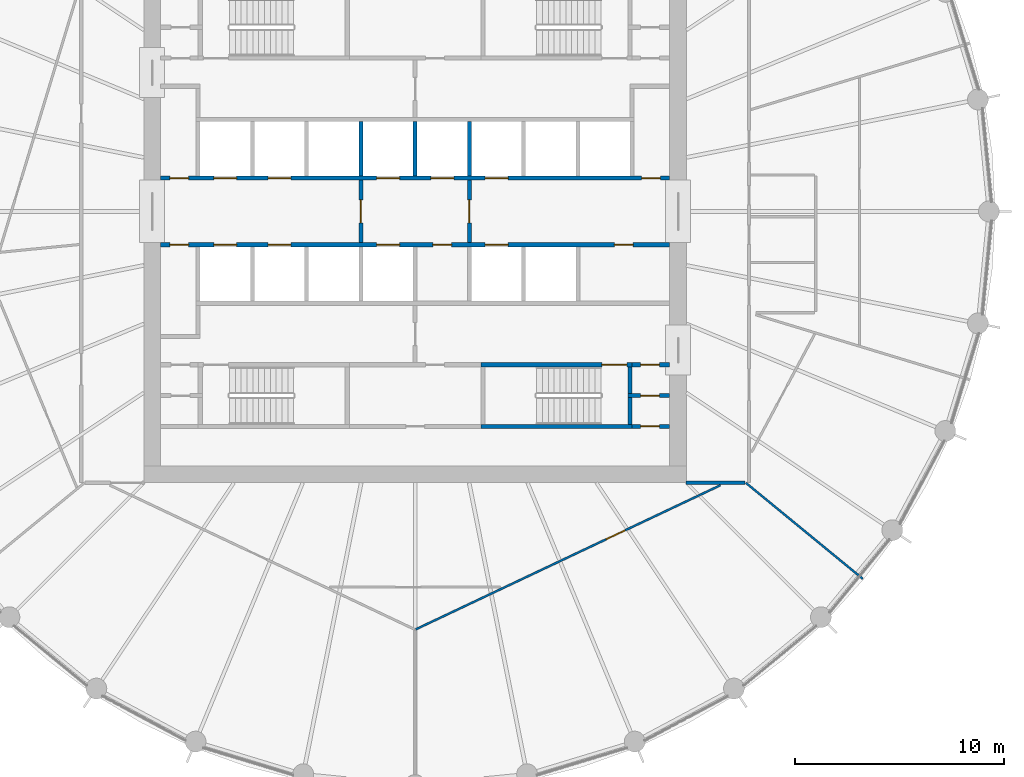
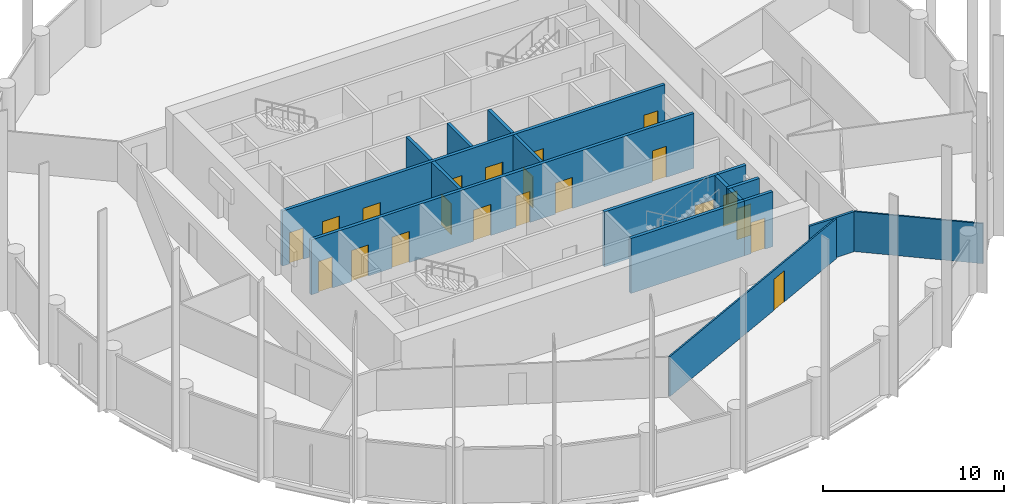
# One storey, part 5 of 8: 21 doors, 17 walls, 21 openings.
"""IFC4 building model written with IfcOpenShell, lengths in metres."""

from ifc_helpers import new_model, si_unit, direction, frame, frame_2d, origin, place, context, subcontext, project, spatial, polyline, rectangle, outline, extrude, material, layer, layer_set, type_object, element, fill, save


model = new_model("IFC4")

# Units and contexts
model_context = context("Model", 3, precision=1e-05, world=origin(), true_north=direction((0.0, 1.0)))
body_context = subcontext(model_context, "Body", "Model", "MODEL_VIEW")
ifc_project = project(units=[si_unit("LENGTHUNIT", "METRE"), si_unit("AREAUNIT", "SQUARE_METRE"), si_unit("VOLUMEUNIT", "CUBIC_METRE"), si_unit("PLANEANGLEUNIT", "RADIAN"), si_unit("MASSUNIT", "GRAM", prefix="KILO")], contexts=[model_context])

# Site, building, storey
site_placement = place(None, origin())
site = spatial("IfcSite", under=ifc_project, at=site_placement, CompositionType="ELEMENT")
building_placement = place(site_placement, origin())
building = spatial("IfcBuilding", under=site, at=building_placement, Name="Corvane Civic Tower", CompositionType="ELEMENT")
storey_placement = place(building_placement, frame((0.0, 0.0, 249.5)))
storey = spatial("IfcBuildingStorey", under=building, at=storey_placement, Name="L59", CompositionType="ELEMENT", Elevation=249.5)

# Wall, opening, door
ifc_material_1 = material(Name="Concrete C30/37", Category="concrete")
ifc_layer_1 = layer(ifc_material_1, 0.199951171875)
ifc_layer_set_1 = layer_set([ifc_layer_1], Name="Concrete C30/37")
wall_type_1 = type_object("IfcWallType", Name="CR-WALL-200", PredefinedType="PARTITIONING", material=ifc_layer_set_1)
wall_1_placement = place(storey_placement, frame((10.39990234375, -10.300048828125, 0.0), z_axis=(0.0, 0.0, 1.0), x_axis=(1.0, 0.0, 0.0)))
wall_1 = element("IfcWall", 1, at=wall_1_placement, inside=storey, type_object=wall_type_1, Name="L59 partition wall", PredefinedType="PARTITIONING", context=body_context, shape_type="SweptSolid", body=[
    extrude(rectangle(XDim=1.800048828125, YDim=0.199951171875, at=frame_2d((0.89990234375, 0.0))), origin(), (0.0, 0.0, 1.0), 3.699951171875),
])
opening_1_placement = place(wall_1_placement, frame((0.39990234375, 0.0, 0.0)))
opening_1 = element("IfcOpeningElement", 2, at=opening_1_placement, cuts=wall_1, Name="Opening L59.C19", PredefinedType="OPENING", context=body_context, shape_type="SweptSolid", body=[
    extrude(rectangle(XDim=0.89990234375, YDim=2.10009765625, at=frame_2d((0.449951171875, 1.050048828125))), frame((0.0, 0.10986328125, 0.0), z_axis=(0.0, -1.0, 0.0), x_axis=(1.0, 0.0, 0.0)), (0.0, 0.0, 1.0), 0.219970703125),
])
ifc_material_2 = material(Name="Steel fire door leaf", Category="steel")
door_type_1 = type_object("IfcDoorType", Name="CR-DOOR-900", OperationType="SINGLE_SWING_LEFT", PredefinedType="DOOR", material=ifc_material_2)
door_1_placement = place(opening_1_placement, origin())
door_1 = element("IfcDoor", 3, at=door_1_placement, inside=storey, type_object=door_type_1, Name="L59 door", OperationType="SINGLE_SWING_LEFT", OverallHeight=2.10009765625, OverallWidth=0.89990234375, PredefinedType="DOOR", context=body_context, shape_type="SweptSolid", body=[
    extrude(rectangle(XDim=0.89990234375, YDim=2.10009765625, at=frame_2d((0.449951171875, 1.050048828125))), frame((0.0, 0.02490234375, 0.0), z_axis=(0.0, -1.0, 0.0), x_axis=(1.0, 0.0, 0.0)), (0.0, 0.0, 1.0), 0.050048828125),
])
fill(opening_1, door_1)

wall_2_placement = place(storey_placement, frame((10.199951171875, -8.824951171875, 0.0), z_axis=(0.0, 0.0, 1.0), x_axis=(1.0, 0.0, 0.0)))
wall_2 = element("IfcWall", 4, at=wall_2_placement, inside=storey, type_object=wall_type_1, Name="L59 partition wall", PredefinedType="PARTITIONING", context=body_context, shape_type="SweptSolid", body=[
    extrude(rectangle(XDim=2.0, YDim=0.199951171875, at=frame_2d((1.0, 0.0))), origin(), (0.0, 0.0, 1.0), 3.699951171875),
])
opening_2_placement = place(wall_2_placement, frame((0.60009765625, 0.0, 0.0)))
opening_2 = element("IfcOpeningElement", 5, at=opening_2_placement, cuts=wall_2, Name="Opening L59.C18", PredefinedType="OPENING", context=body_context, shape_type="SweptSolid", body=[
    extrude(rectangle(XDim=0.89990234375, YDim=2.10009765625, at=frame_2d((0.449951171875, 1.050048828125))), frame((0.0, 0.10986328125, 0.0), z_axis=(0.0, -1.0, 0.0), x_axis=(1.0, 0.0, 0.0)), (0.0, 0.0, 1.0), 0.219970703125),
])
door_2_placement = place(opening_2_placement, origin())
door_2 = element("IfcDoor", 6, at=door_2_placement, inside=storey, type_object=door_type_1, Name="L59 door", OperationType="SINGLE_SWING_LEFT", OverallHeight=2.10009765625, OverallWidth=0.89990234375, PredefinedType="DOOR", context=body_context, shape_type="SweptSolid", body=[
    extrude(rectangle(XDim=0.89990234375, YDim=2.10009765625, at=frame_2d((0.449951171875, 1.050048828125))), frame((0.0, 0.02490234375, 0.0), z_axis=(0.0, -1.0, 0.0), x_axis=(1.0, 0.0, 0.0)), (0.0, 0.0, 1.0), 0.050048828125),
])
fill(opening_2, door_2)

wall_3_placement = place(storey_placement, frame((10.39990234375, -7.35009765625, 0.0), z_axis=(0.0, 0.0, 1.0), x_axis=(1.0, 0.0, 0.0)))
wall_3 = element("IfcWall", 7, at=wall_3_placement, inside=storey, type_object=wall_type_1, Name="L59 core partition wall", PredefinedType="PARTITIONING", context=body_context, shape_type="SweptSolid", body=[
    extrude(rectangle(XDim=1.800048828125, YDim=0.199951171875, at=frame_2d((0.89990234375, 0.0))), origin(), (0.0, 0.0, 1.0), 3.699951171875),
])
opening_3_placement = place(wall_3_placement, frame((0.39990234375, 0.0, 0.0)))
opening_3 = element("IfcOpeningElement", 8, at=opening_3_placement, cuts=wall_3, Name="Opening L59.C17", PredefinedType="OPENING", context=body_context, shape_type="SweptSolid", body=[
    extrude(rectangle(XDim=0.89990234375, YDim=2.10009765625, at=frame_2d((0.449951171875, 1.050048828125))), frame((0.0, 0.10986328125, 0.0), z_axis=(0.0, -1.0, 0.0), x_axis=(1.0, 0.0, 0.0)), (0.0, 0.0, 1.0), 0.219970703125),
])
door_3_placement = place(opening_3_placement, origin())
door_3 = element("IfcDoor", 9, at=door_3_placement, inside=storey, type_object=door_type_1, Name="L59 door", OperationType="SINGLE_SWING_LEFT", OverallHeight=2.10009765625, OverallWidth=0.89990234375, PredefinedType="DOOR", context=body_context, shape_type="SweptSolid", body=[
    extrude(rectangle(XDim=0.89990234375, YDim=2.10009765625, at=frame_2d((0.449951171875, 1.050048828125))), frame((0.0, 0.02490234375, 0.0), z_axis=(0.0, -1.0, 0.0), x_axis=(1.0, 0.0, 0.0)), (0.0, 0.0, 1.0), 0.050048828125),
])
fill(opening_3, door_3)

# Wall, openings, doors
wall_4_placement = place(storey_placement, frame((-12.199951171875, -1.60009765625, 0.0), z_axis=(0.0, 0.0, 1.0), x_axis=(1.0, 0.0, 0.0)))
wall_4 = element("IfcWall", 10, at=wall_4_placement, inside=storey, type_object=wall_type_1, Name="L59 lift shaft wall", PredefinedType="PARTITIONING", context=body_context, shape_type="SweptSolid", body=[
    extrude(rectangle(XDim=24.39990234375, YDim=0.199951171875, at=frame_2d((12.199951171875, 0.0))), origin(), (0.0, 0.0, 1.0), 3.699951171875),
])
opening_4_placement = place(wall_4_placement, frame((2.550048828125, 0.0, 0.0)))
opening_4 = element("IfcOpeningElement", 11, at=opening_4_placement, cuts=wall_4, Name="Opening LD", PredefinedType="OPENING", context=body_context, shape_type="SweptSolid", body=[
    extrude(rectangle(XDim=1.10009765625, YDim=2.10009765625, at=frame_2d((0.550048828125, 1.050048828125))), frame((0.0, 0.10986328125, 0.0), z_axis=(0.0, -1.0, 0.0), x_axis=(1.0, 0.0, 0.0)), (0.0, 0.0, 1.0), 0.219970703125),
])
opening_5_placement = place(wall_4_placement, frame((5.14990234375, 0.0, 0.0)))
opening_5 = element("IfcOpeningElement", 12, at=opening_5_placement, cuts=wall_4, Name="Opening LD", PredefinedType="OPENING", context=body_context, shape_type="SweptSolid", body=[
    extrude(rectangle(XDim=1.10009765625, YDim=2.10009765625, at=frame_2d((0.550048828125, 1.050048828125))), frame((0.0, 0.10986328125, 0.0), z_axis=(0.0, -1.0, 0.0), x_axis=(1.0, 0.0, 0.0)), (0.0, 0.0, 1.0), 0.219970703125),
])
opening_6_placement = place(wall_4_placement, frame((10.35009765625, 0.0, 0.0)))
opening_6 = element("IfcOpeningElement", 13, at=opening_6_placement, cuts=wall_4, Name="Opening LD", PredefinedType="OPENING", context=body_context, shape_type="SweptSolid", body=[
    extrude(rectangle(XDim=1.10009765625, YDim=2.10009765625, at=frame_2d((0.550048828125, 1.050048828125))), frame((0.0, 0.10986328125, 0.0), z_axis=(0.0, -1.0, 0.0), x_axis=(1.0, 0.0, 0.0)), (0.0, 0.0, 1.0), 0.219970703125),
])
opening_7_placement = place(wall_4_placement, frame((13.050048828125, 0.0, 0.0)))
opening_7 = element("IfcOpeningElement", 14, at=opening_7_placement, cuts=wall_4, Name="Opening L59.C03", PredefinedType="OPENING", context=body_context, shape_type="SweptSolid", body=[
    extrude(rectangle(XDim=0.89990234375, YDim=2.10009765625, at=frame_2d((0.449951171875, 1.050048828125))), frame((0.0, 0.10986328125, 0.0), z_axis=(0.0, -1.0, 0.0), x_axis=(1.0, 0.0, 0.0)), (0.0, 0.0, 1.0), 0.219970703125),
])
opening_8_placement = place(wall_4_placement, frame((15.550048828125, 0.0, 0.0)))
opening_8 = element("IfcOpeningElement", 15, at=opening_8_placement, cuts=wall_4, Name="Opening LD", PredefinedType="OPENING", context=body_context, shape_type="SweptSolid", body=[
    extrude(rectangle(XDim=1.10009765625, YDim=2.10009765625, at=frame_2d((0.550048828125, 1.050048828125))), frame((0.0, 0.10986328125, 0.0), z_axis=(0.0, -1.0, 0.0), x_axis=(1.0, 0.0, 0.0)), (0.0, 0.0, 1.0), 0.219970703125),
])
opening_9_placement = place(wall_4_placement, frame((0.449951171875, 0.0, 0.0)))
opening_9 = element("IfcOpeningElement", 16, at=opening_9_placement, cuts=wall_4, Name="Opening L59.C04", PredefinedType="OPENING", context=body_context, shape_type="SweptSolid", body=[
    extrude(rectangle(XDim=0.89990234375, YDim=2.10009765625, at=frame_2d((0.449951171875, 1.050048828125))), frame((0.0, 0.10986328125, 0.0), z_axis=(0.0, -1.0, 0.0), x_axis=(1.0, 0.0, 0.0)), (0.0, 0.0, 1.0), 0.219970703125),
])
opening_10_placement = place(wall_4_placement, frame((21.75, 0.0, 0.0)))
opening_10 = element("IfcOpeningElement", 17, at=opening_10_placement, cuts=wall_4, Name="Opening L59.C05", PredefinedType="OPENING", context=body_context, shape_type="SweptSolid", body=[
    extrude(rectangle(XDim=0.89990234375, YDim=2.10009765625, at=frame_2d((0.449951171875, 1.050048828125))), frame((0.0, 0.10986328125, 0.0), z_axis=(0.0, -1.0, 0.0), x_axis=(1.0, 0.0, 0.0)), (0.0, 0.0, 1.0), 0.219970703125),
])
door_4_placement = place(opening_7_placement, origin())
door_4 = element("IfcDoor", 18, at=door_4_placement, inside=storey, type_object=door_type_1, Name="L59 door", OperationType="SINGLE_SWING_LEFT", OverallHeight=2.10009765625, OverallWidth=0.89990234375, PredefinedType="DOOR", context=body_context, shape_type="SweptSolid", body=[
    extrude(rectangle(XDim=0.89990234375, YDim=2.10009765625, at=frame_2d((0.449951171875, 1.050048828125))), frame((0.0, 0.02490234375, 0.0), z_axis=(0.0, -1.0, 0.0), x_axis=(1.0, 0.0, 0.0)), (0.0, 0.0, 1.0), 0.050048828125),
])
fill(opening_7, door_4)
door_5_placement = place(opening_9_placement, origin())
door_5 = element("IfcDoor", 19, at=door_5_placement, inside=storey, type_object=door_type_1, Name="L59 door", OperationType="SINGLE_SWING_LEFT", OverallHeight=2.10009765625, OverallWidth=0.89990234375, PredefinedType="DOOR", context=body_context, shape_type="SweptSolid", body=[
    extrude(rectangle(XDim=0.89990234375, YDim=2.10009765625, at=frame_2d((0.449951171875, 1.050048828125))), frame((0.0, 0.02490234375, 0.0), z_axis=(0.0, -1.0, 0.0), x_axis=(1.0, 0.0, 0.0)), (0.0, 0.0, 1.0), 0.050048828125),
])
fill(opening_9, door_5)
door_6_placement = place(opening_10_placement, origin())
door_6 = element("IfcDoor", 20, at=door_6_placement, inside=storey, type_object=door_type_1, Name="L59 door", OperationType="SINGLE_SWING_LEFT", OverallHeight=2.10009765625, OverallWidth=0.89990234375, PredefinedType="DOOR", context=body_context, shape_type="SweptSolid", body=[
    extrude(rectangle(XDim=0.89990234375, YDim=2.10009765625, at=frame_2d((0.449951171875, 1.050048828125))), frame((0.0, 0.02490234375, 0.0), z_axis=(0.0, -1.0, 0.0), x_axis=(1.0, 0.0, 0.0)), (0.0, 0.0, 1.0), 0.050048828125),
])
fill(opening_10, door_6)
ifc_material_3 = material(Name="Stainless steel 316 door leaves", Category="steel")
door_type_2 = type_object("IfcDoorType", Name="LD", OperationType="DOUBLE_DOOR_SLIDING", PredefinedType="DOOR", material=ifc_material_3)
door_7_placement = place(opening_4_placement, origin())
door_7 = element("IfcDoor", 21, at=door_7_placement, inside=storey, type_object=door_type_2, Name="L59 landing door", OperationType="DOUBLE_DOOR_SLIDING", OverallHeight=2.10009765625, OverallWidth=1.10009765625, PredefinedType="DOOR", context=body_context, shape_type="SweptSolid", body=[
    extrude(rectangle(XDim=1.10009765625, YDim=2.10009765625, at=frame_2d((0.550048828125, 1.050048828125))), frame((0.0, 0.02490234375, 0.0), z_axis=(0.0, -1.0, 0.0), x_axis=(1.0, 0.0, 0.0)), (0.0, 0.0, 1.0), 0.050048828125),
])
fill(opening_4, door_7)
door_8_placement = place(opening_5_placement, origin())
door_8 = element("IfcDoor", 22, at=door_8_placement, inside=storey, type_object=door_type_2, Name="L59 landing door", OperationType="DOUBLE_DOOR_SLIDING", OverallHeight=2.10009765625, OverallWidth=1.10009765625, PredefinedType="DOOR", context=body_context, shape_type="SweptSolid", body=[
    extrude(rectangle(XDim=1.10009765625, YDim=2.10009765625, at=frame_2d((0.550048828125, 1.050048828125))), frame((0.0, 0.02490234375, 0.0), z_axis=(0.0, -1.0, 0.0), x_axis=(1.0, 0.0, 0.0)), (0.0, 0.0, 1.0), 0.050048828125),
])
fill(opening_5, door_8)
door_9_placement = place(opening_6_placement, origin())
door_9 = element("IfcDoor", 23, at=door_9_placement, inside=storey, type_object=door_type_2, Name="L59 landing door", OperationType="DOUBLE_DOOR_SLIDING", OverallHeight=2.10009765625, OverallWidth=1.10009765625, PredefinedType="DOOR", context=body_context, shape_type="SweptSolid", body=[
    extrude(rectangle(XDim=1.10009765625, YDim=2.10009765625, at=frame_2d((0.550048828125, 1.050048828125))), frame((0.0, 0.02490234375, 0.0), z_axis=(0.0, -1.0, 0.0), x_axis=(1.0, 0.0, 0.0)), (0.0, 0.0, 1.0), 0.050048828125),
])
fill(opening_6, door_9)
door_10_placement = place(opening_8_placement, origin())
door_10 = element("IfcDoor", 24, at=door_10_placement, inside=storey, type_object=door_type_2, Name="L59 landing door", OperationType="DOUBLE_DOOR_SLIDING", OverallHeight=2.10009765625, OverallWidth=1.10009765625, PredefinedType="DOOR", context=body_context, shape_type="SweptSolid", body=[
    extrude(rectangle(XDim=1.10009765625, YDim=2.10009765625, at=frame_2d((0.550048828125, 1.050048828125))), frame((0.0, 0.02490234375, 0.0), z_axis=(0.0, -1.0, 0.0), x_axis=(1.0, 0.0, 0.0)), (0.0, 0.0, 1.0), 0.050048828125),
])
fill(opening_8, door_10)

wall_5_placement = place(storey_placement, frame((-12.199951171875, 1.60009765625, 0.0), z_axis=(0.0, 0.0, 1.0), x_axis=(1.0, 0.0, 0.0)))
wall_5 = element("IfcWall", 25, at=wall_5_placement, inside=storey, type_object=wall_type_1, Name="L59 lift shaft wall", PredefinedType="PARTITIONING", context=body_context, shape_type="SweptSolid", body=[
    extrude(rectangle(XDim=24.39990234375, YDim=0.199951171875, at=frame_2d((12.199951171875, 0.0))), origin(), (0.0, 0.0, 1.0), 3.699951171875),
])
opening_11_placement = place(wall_5_placement, frame((2.550048828125, 0.0, 0.0)))
opening_11 = element("IfcOpeningElement", 26, at=opening_11_placement, cuts=wall_5, Name="Opening LD", PredefinedType="OPENING", context=body_context, shape_type="SweptSolid", body=[
    extrude(rectangle(XDim=1.10009765625, YDim=2.10009765625, at=frame_2d((0.550048828125, 1.050048828125))), frame((0.0, 0.10986328125, 0.0), z_axis=(0.0, -1.0, 0.0), x_axis=(1.0, 0.0, 0.0)), (0.0, 0.0, 1.0), 0.219970703125),
])
opening_12_placement = place(wall_5_placement, frame((5.14990234375, 0.0, 0.0)))
opening_12 = element("IfcOpeningElement", 27, at=opening_12_placement, cuts=wall_5, Name="Opening LD", PredefinedType="OPENING", context=body_context, shape_type="SweptSolid", body=[
    extrude(rectangle(XDim=1.10009765625, YDim=2.10009765625, at=frame_2d((0.550048828125, 1.050048828125))), frame((0.0, 0.10986328125, 0.0), z_axis=(0.0, -1.0, 0.0), x_axis=(1.0, 0.0, 0.0)), (0.0, 0.0, 1.0), 0.219970703125),
])
opening_13_placement = place(wall_5_placement, frame((10.35009765625, 0.0, 0.0)))
opening_13 = element("IfcOpeningElement", 28, at=opening_13_placement, cuts=wall_5, Name="Opening LD", PredefinedType="OPENING", context=body_context, shape_type="SweptSolid", body=[
    extrude(rectangle(XDim=1.10009765625, YDim=2.10009765625, at=frame_2d((0.550048828125, 1.050048828125))), frame((0.0, 0.10986328125, 0.0), z_axis=(0.0, -1.0, 0.0), x_axis=(1.0, 0.0, 0.0)), (0.0, 0.0, 1.0), 0.219970703125),
])
opening_14_placement = place(wall_5_placement, frame((12.949951171875, 0.0, 0.0)))
opening_14 = element("IfcOpeningElement", 29, at=opening_14_placement, cuts=wall_5, Name="Opening LD", PredefinedType="OPENING", context=body_context, shape_type="SweptSolid", body=[
    extrude(rectangle(XDim=1.10009765625, YDim=2.10009765625, at=frame_2d((0.550048828125, 1.050048828125))), frame((0.0, 0.10986328125, 0.0), z_axis=(0.0, -1.0, 0.0), x_axis=(1.0, 0.0, 0.0)), (0.0, 0.0, 1.0), 0.219970703125),
])
opening_15_placement = place(wall_5_placement, frame((15.550048828125, 0.0, 0.0)))
opening_15 = element("IfcOpeningElement", 30, at=opening_15_placement, cuts=wall_5, Name="Opening LD", PredefinedType="OPENING", context=body_context, shape_type="SweptSolid", body=[
    extrude(rectangle(XDim=1.10009765625, YDim=2.10009765625, at=frame_2d((0.550048828125, 1.050048828125))), frame((0.0, 0.10986328125, 0.0), z_axis=(0.0, -1.0, 0.0), x_axis=(1.0, 0.0, 0.0)), (0.0, 0.0, 1.0), 0.219970703125),
])
opening_16_placement = place(wall_5_placement, frame((0.449951171875, 0.0, 0.0)))
opening_16 = element("IfcOpeningElement", 31, at=opening_16_placement, cuts=wall_5, Name="Opening L59.C01", PredefinedType="OPENING", context=body_context, shape_type="SweptSolid", body=[
    extrude(rectangle(XDim=0.89990234375, YDim=2.10009765625, at=frame_2d((0.449951171875, 1.050048828125))), frame((0.0, 0.10986328125, 0.0), z_axis=(0.0, -1.0, 0.0), x_axis=(1.0, 0.0, 0.0)), (0.0, 0.0, 1.0), 0.219970703125),
])
opening_17_placement = place(wall_5_placement, frame((23.050048828125, 0.0, 0.0)))
opening_17 = element("IfcOpeningElement", 32, at=opening_17_placement, cuts=wall_5, Name="Opening L59.C02", PredefinedType="OPENING", context=body_context, shape_type="SweptSolid", body=[
    extrude(rectangle(XDim=0.89990234375, YDim=2.10009765625, at=frame_2d((0.449951171875, 1.050048828125))), frame((0.0, 0.10986328125, 0.0), z_axis=(0.0, -1.0, 0.0), x_axis=(1.0, 0.0, 0.0)), (0.0, 0.0, 1.0), 0.219970703125),
])
door_11_placement = place(opening_16_placement, origin())
door_11 = element("IfcDoor", 33, at=door_11_placement, inside=storey, type_object=door_type_1, Name="L59 door", OperationType="SINGLE_SWING_LEFT", OverallHeight=2.10009765625, OverallWidth=0.89990234375, PredefinedType="DOOR", context=body_context, shape_type="SweptSolid", body=[
    extrude(rectangle(XDim=0.89990234375, YDim=2.10009765625, at=frame_2d((0.449951171875, 1.050048828125))), frame((0.0, 0.02490234375, 0.0), z_axis=(0.0, -1.0, 0.0), x_axis=(1.0, 0.0, 0.0)), (0.0, 0.0, 1.0), 0.050048828125),
])
fill(opening_16, door_11)
door_12_placement = place(opening_17_placement, origin())
door_12 = element("IfcDoor", 34, at=door_12_placement, inside=storey, type_object=door_type_1, Name="L59 door", OperationType="SINGLE_SWING_LEFT", OverallHeight=2.10009765625, OverallWidth=0.89990234375, PredefinedType="DOOR", context=body_context, shape_type="SweptSolid", body=[
    extrude(rectangle(XDim=0.89990234375, YDim=2.10009765625, at=frame_2d((0.449951171875, 1.050048828125))), frame((0.0, 0.02490234375, 0.0), z_axis=(0.0, -1.0, 0.0), x_axis=(1.0, 0.0, 0.0)), (0.0, 0.0, 1.0), 0.050048828125),
])
fill(opening_17, door_12)
door_13_placement = place(opening_11_placement, origin())
door_13 = element("IfcDoor", 35, at=door_13_placement, inside=storey, type_object=door_type_2, Name="L59 landing door", OperationType="DOUBLE_DOOR_SLIDING", OverallHeight=2.10009765625, OverallWidth=1.10009765625, PredefinedType="DOOR", context=body_context, shape_type="SweptSolid", body=[
    extrude(rectangle(XDim=1.10009765625, YDim=2.10009765625, at=frame_2d((0.550048828125, 1.050048828125))), frame((0.0, 0.02490234375, 0.0), z_axis=(0.0, -1.0, 0.0), x_axis=(1.0, 0.0, 0.0)), (0.0, 0.0, 1.0), 0.050048828125),
])
fill(opening_11, door_13)
door_14_placement = place(opening_12_placement, origin())
door_14 = element("IfcDoor", 36, at=door_14_placement, inside=storey, type_object=door_type_2, Name="L59 landing door", OperationType="DOUBLE_DOOR_SLIDING", OverallHeight=2.10009765625, OverallWidth=1.10009765625, PredefinedType="DOOR", context=body_context, shape_type="SweptSolid", body=[
    extrude(rectangle(XDim=1.10009765625, YDim=2.10009765625, at=frame_2d((0.550048828125, 1.050048828125))), frame((0.0, 0.02490234375, 0.0), z_axis=(0.0, -1.0, 0.0), x_axis=(1.0, 0.0, 0.0)), (0.0, 0.0, 1.0), 0.050048828125),
])
fill(opening_12, door_14)
door_15_placement = place(opening_13_placement, origin())
door_15 = element("IfcDoor", 37, at=door_15_placement, inside=storey, type_object=door_type_2, Name="L59 landing door", OperationType="DOUBLE_DOOR_SLIDING", OverallHeight=2.10009765625, OverallWidth=1.10009765625, PredefinedType="DOOR", context=body_context, shape_type="SweptSolid", body=[
    extrude(rectangle(XDim=1.10009765625, YDim=2.10009765625, at=frame_2d((0.550048828125, 1.050048828125))), frame((0.0, 0.02490234375, 0.0), z_axis=(0.0, -1.0, 0.0), x_axis=(1.0, 0.0, 0.0)), (0.0, 0.0, 1.0), 0.050048828125),
])
fill(opening_13, door_15)
door_16_placement = place(opening_14_placement, origin())
door_16 = element("IfcDoor", 38, at=door_16_placement, inside=storey, type_object=door_type_2, Name="L59 landing door", OperationType="DOUBLE_DOOR_SLIDING", OverallHeight=2.10009765625, OverallWidth=1.10009765625, PredefinedType="DOOR", context=body_context, shape_type="SweptSolid", body=[
    extrude(rectangle(XDim=1.10009765625, YDim=2.10009765625, at=frame_2d((0.550048828125, 1.050048828125))), frame((0.0, 0.02490234375, 0.0), z_axis=(0.0, -1.0, 0.0), x_axis=(1.0, 0.0, 0.0)), (0.0, 0.0, 1.0), 0.050048828125),
])
fill(opening_14, door_16)
door_17_placement = place(opening_15_placement, origin())
door_17 = element("IfcDoor", 39, at=door_17_placement, inside=storey, type_object=door_type_2, Name="L59 landing door", OperationType="DOUBLE_DOOR_SLIDING", OverallHeight=2.10009765625, OverallWidth=1.10009765625, PredefinedType="DOOR", context=body_context, shape_type="SweptSolid", body=[
    extrude(rectangle(XDim=1.10009765625, YDim=2.10009765625, at=frame_2d((0.550048828125, 1.050048828125))), frame((0.0, 0.02490234375, 0.0), z_axis=(0.0, -1.0, 0.0), x_axis=(1.0, 0.0, 0.0)), (0.0, 0.0, 1.0), 0.050048828125),
])
fill(opening_15, door_17)

# Wall, opening, door
wall_6_placement = place(storey_placement, frame((-2.60009765625, -1.5, 0.0), z_axis=(0.0, 0.0, 1.0), x_axis=(0.0, 1.0, 0.0)))
wall_6 = element("IfcWall", 40, at=wall_6_placement, inside=storey, type_object=wall_type_1, Name="L59 firefighting lobby wall", PredefinedType="PARTITIONING", context=body_context, shape_type="SweptSolid", body=[
    extrude(rectangle(XDim=3.0, YDim=0.199951171875, at=frame_2d((1.5, 0.0))), origin(), (0.0, 0.0, 1.0), 3.699951171875),
])
opening_18_placement = place(wall_6_placement, frame((0.949951171875, 0.0, 0.0)))
opening_18 = element("IfcOpeningElement", 41, at=opening_18_placement, cuts=wall_6, Name="Opening L59.C24", PredefinedType="OPENING", context=body_context, shape_type="SweptSolid", body=[
    extrude(rectangle(XDim=1.10009765625, YDim=2.10009765625, at=frame_2d((0.550048828125, 1.050048828125))), frame((0.0, 0.10986328125, 0.0), z_axis=(0.0, -1.0, 0.0), x_axis=(1.0, 0.0, 0.0)), (0.0, 0.0, 1.0), 0.219970703125),
])
ifc_material_4 = material(Name="Steel fire door leaf", Category="steel")
door_type_3 = type_object("IfcDoorType", Name="CR-DOOR-FFL-1100", OperationType="SINGLE_SWING_LEFT", PredefinedType="DOOR", material=ifc_material_4)
door_18_placement = place(opening_18_placement, origin())
door_18 = element("IfcDoor", 42, at=door_18_placement, inside=storey, type_object=door_type_3, Name="L59 lobby door", OperationType="SINGLE_SWING_LEFT", OverallHeight=2.10009765625, OverallWidth=1.10009765625, PredefinedType="DOOR", context=body_context, shape_type="SweptSolid", body=[
    extrude(rectangle(XDim=1.10009765625, YDim=2.10009765625, at=frame_2d((0.550048828125, 1.050048828125))), frame((0.0, 0.02490234375, 0.0), z_axis=(0.0, -1.0, 0.0), x_axis=(1.0, 0.0, 0.0)), (0.0, 0.0, 1.0), 0.050048828125),
])
fill(opening_18, door_18)

wall_7_placement = place(storey_placement, frame((2.60009765625, -1.5, 0.0), z_axis=(0.0, 0.0, 1.0), x_axis=(0.0, 1.0, 0.0)))
wall_7 = element("IfcWall", 43, at=wall_7_placement, inside=storey, type_object=wall_type_1, Name="L59 firefighting lobby wall", PredefinedType="PARTITIONING", context=body_context, shape_type="SweptSolid", body=[
    extrude(rectangle(XDim=3.0, YDim=0.199951171875, at=frame_2d((1.5, 0.0))), origin(), (0.0, 0.0, 1.0), 3.699951171875),
])
opening_19_placement = place(wall_7_placement, frame((0.949951171875, 0.0, 0.0)))
opening_19 = element("IfcOpeningElement", 44, at=opening_19_placement, cuts=wall_7, Name="Opening L59.C25", PredefinedType="OPENING", context=body_context, shape_type="SweptSolid", body=[
    extrude(rectangle(XDim=1.10009765625, YDim=2.10009765625, at=frame_2d((0.550048828125, 1.050048828125))), frame((0.0, 0.10986328125, 0.0), z_axis=(0.0, -1.0, 0.0), x_axis=(1.0, 0.0, 0.0)), (0.0, 0.0, 1.0), 0.219970703125),
])
door_19_placement = place(opening_19_placement, origin())
door_19 = element("IfcDoor", 45, at=door_19_placement, inside=storey, type_object=door_type_3, Name="L59 lobby door", OperationType="SINGLE_SWING_LEFT", OverallHeight=2.10009765625, OverallWidth=1.10009765625, PredefinedType="DOOR", context=body_context, shape_type="SweptSolid", body=[
    extrude(rectangle(XDim=1.10009765625, YDim=2.10009765625, at=frame_2d((0.550048828125, 1.050048828125))), frame((0.0, 0.02490234375, 0.0), z_axis=(0.0, -1.0, 0.0), x_axis=(1.0, 0.0, 0.0)), (0.0, 0.0, 1.0), 0.050048828125),
])
fill(opening_19, door_19)

# Walls
wall_8_placement = place(storey_placement, origin())
element("IfcWall", 46, at=wall_8_placement, inside=storey, type_object=wall_type_1, Name="L59 core partition wall", PredefinedType="PARTITIONING", context=body_context, shape_type="SweptSolid", body=[
    extrude(outline(polyline([(-2.5, 1.699951171875), (-2.699951171875, 1.699951171875), (-2.699951171875, 4.2998046875), (-2.5, 4.2998046875), (-2.5, 1.699951171875)])), origin(), (0.0, 0.0, 1.0), 3.699951171875),
])
wall_9_placement = place(storey_placement, origin())
element("IfcWall", 47, at=wall_9_placement, inside=storey, type_object=wall_type_1, Name="L59 core partition wall", PredefinedType="PARTITIONING", context=body_context, shape_type="SweptSolid", body=[
    extrude(outline(polyline([(2.699951171875, 1.699951171875), (2.5, 1.699951171875), (2.5, 4.2998046875), (2.699951171875, 4.2998046875), (2.699951171875, 1.699951171875)])), origin(), (0.0, 0.0, 1.0), 3.699951171875),
])
wall_10_placement = place(storey_placement, origin())
element("IfcWall", 48, at=wall_10_placement, inside=storey, type_object=wall_type_1, Name="L59 core partition wall", PredefinedType="PARTITIONING", context=body_context, shape_type="SweptSolid", body=[
    extrude(outline(polyline([(0.10009765625, 1.699951171875), (-0.10009765625, 1.699951171875), (-0.10009765625, 4.2998046875), (0.10009765625, 4.2998046875), (0.10009765625, 1.699951171875)])), origin(), (0.0, 0.0, 1.0), 3.699951171875),
])

# Wall, opening, door
ifc_material_5 = material(Name="Plasterboard")
ifc_layer_2 = layer(ifc_material_5, 0.10009765625)
ifc_layer_set_2 = layer_set([ifc_layer_2], Name="Plasterboard")
wall_type_2 = type_object("IfcWallType", Name="Partition 100 plasterboard on studs", PredefinedType="PARTITIONING", material=ifc_layer_set_2)
wall_11_placement = place(storey_placement, frame((0.028564453125, -20.02734375, 0.0), z_axis=(0.0, 0.0, 1.0), x_axis=(0.903988165601, 0.427557477368, 0.0)))
wall_11 = element("IfcWall", 49, at=wall_11_placement, inside=storey, type_object=wall_type_2, Name="Partition L59.003", PredefinedType="PARTITIONING", context=body_context, shape_type="SweptSolid", body=[
    extrude(rectangle(XDim=16.155029296875, YDim=0.10009765625, at=frame_2d((8.07763671875, 0.0))), origin(), (0.0, 0.0, 1.0), 2.699951171875),
])
opening_20_placement = place(wall_11_placement, frame((10.089111328125, 0.0, 0.0)))
opening_20 = element("IfcOpeningElement", 50, at=opening_20_placement, cuts=wall_11, Name="Opening L59.002", PredefinedType="OPENING", context=body_context, shape_type="SweptSolid", body=[
    extrude(rectangle(XDim=1.0, YDim=2.10009765625, at=frame_2d((0.5, 1.050048828125))), frame((0.0, 0.06005859375, 0.0), z_axis=(0.0, -1.0, 0.0), x_axis=(1.0, 0.0, 0.0)), (0.0, 0.0, 1.0), 0.1201171875),
])
ifc_material_6 = material(Name="Timber", Category="wood")
door_type_4 = type_object("IfcDoorType", Name="Single door 1000", OperationType="NOTDEFINED", PredefinedType="DOOR", material=ifc_material_6)
door_20_placement = place(opening_20_placement, frame((1.0, 0.0, 0.0), z_axis=(0.0, 0.0, 1.0), x_axis=(-1.0, 0.0, 0.0)))
door_20 = element("IfcDoor", 51, at=door_20_placement, inside=storey, type_object=door_type_4, Name="Door L59.002", OperationType="SINGLE_SWING_LEFT", OverallHeight=2.10009765625, OverallWidth=1.0, PredefinedType="DOOR", context=body_context, shape_type="SweptSolid", body=[
    extrude(rectangle(XDim=1.0, YDim=2.10009765625, at=frame_2d((0.5, 1.050048828125))), frame((0.0, 0.02490234375, 0.0), z_axis=(0.0, -1.0, 0.0), x_axis=(1.0, 0.0, 0.0)), (0.0, 0.0, 1.0), 0.050048828125),
])
fill(opening_20, door_20)

# Wall
wall_12_placement = place(storey_placement, frame((15.8544921875, -13.01123046875, 0.0), z_axis=(0.0, 0.0, 1.0), x_axis=(0.772997895748, -0.634408585352, 0.0)))
element("IfcWall", 52, at=wall_12_placement, inside=storey, type_object=wall_type_2, Name="Partition L59.006", PredefinedType="PARTITIONING", context=body_context, shape_type="SweptSolid", body=[
    extrude(rectangle(XDim=7.240234375, YDim=0.10009765625, at=frame_2d((3.6201171875, 0.0))), origin(), (0.0, 0.0, 1.0), 2.699951171875),
])

# Wall, opening, door
ifc_material_7 = material(Name="Concrete C50/60", Category="concrete")
ifc_layer_3 = layer(ifc_material_7, 0.199951171875)
ifc_layer_set_3 = layer_set([ifc_layer_3], Name="Concrete C50/60")
wall_type_3 = type_object("IfcWallType", Name="ST-WALL-200", PredefinedType="SHEAR", material=ifc_layer_set_3)
wall_13_placement = place(storey_placement, frame((3.14990234375, -7.35009765625, 0.0), z_axis=(0.0, 0.0, 1.0), x_axis=(1.0, 0.0, 0.0)))
wall_13 = element("IfcWall", 53, at=wall_13_placement, inside=storey, type_object=wall_type_3, Name="L59 stair enclosure wall", PredefinedType="SHEAR", context=body_context, shape_type="SweptSolid", body=[
    extrude(rectangle(XDim=7.25, YDim=0.199951171875, at=frame_2d((3.625, 0.0))), origin(), (0.0, 0.0, 1.0), 3.699951171875),
])
opening_21_placement = place(wall_13_placement, frame((5.800048828125, 0.0, 0.0)))
opening_21 = element("IfcOpeningElement", 54, at=opening_21_placement, cuts=wall_13, Name="Opening L59.C22", PredefinedType="OPENING", context=body_context, shape_type="SweptSolid", body=[
    extrude(rectangle(XDim=1.199951171875, YDim=2.10009765625, at=frame_2d((0.60009765625, 1.050048828125))), frame((0.0, 0.10986328125, 0.0), z_axis=(0.0, -1.0, 0.0), x_axis=(1.0, 0.0, 0.0)), (0.0, 0.0, 1.0), 0.219970703125),
])
ifc_material_8 = material(Name="Steel fire door leaf", Category="steel")
door_type_5 = type_object("IfcDoorType", Name="ST-DOOR-1200", OperationType="SINGLE_SWING_RIGHT", PredefinedType="DOOR", material=ifc_material_8)
door_21_placement = place(opening_21_placement, origin())
door_21 = element("IfcDoor", 55, at=door_21_placement, inside=storey, type_object=door_type_5, Name="L59 stair door", OperationType="SINGLE_SWING_RIGHT", OverallHeight=2.10009765625, OverallWidth=1.199951171875, PredefinedType="DOOR", context=body_context, shape_type="SweptSolid", body=[
    extrude(rectangle(XDim=1.199951171875, YDim=2.10009765625, at=frame_2d((0.60009765625, 1.050048828125))), frame((0.0, 0.02490234375, 0.0), z_axis=(0.0, -1.0, 0.0), x_axis=(1.0, 0.0, 0.0)), (0.0, 0.0, 1.0), 0.050048828125),
])
fill(opening_21, door_21)

# Walls
wall_14_placement = place(storey_placement, origin())
element("IfcWall", 56, at=wall_14_placement, inside=storey, type_object=wall_type_3, Name="L59 stair enclosure wall", PredefinedType="SHEAR", context=body_context, shape_type="SweptSolid", body=[
    extrude(outline(polyline([(10.39990234375, -10.39990234375), (3.14990234375, -10.39990234375), (3.14990234375, -10.199951171875), (10.39990234375, -10.199951171875), (10.39990234375, -10.39990234375)])), origin(), (0.0, 0.0, 1.0), 3.699951171875),
])
wall_15_placement = place(storey_placement, origin())
element("IfcWall", 57, at=wall_15_placement, inside=storey, type_object=wall_type_3, Name="L59 stair enclosure wall", PredefinedType="SHEAR", context=body_context, shape_type="SweptSolid", body=[
    extrude(outline(polyline([(10.39990234375, -7.449951171875), (10.39990234375, -8.72509765625), (10.199951171875, -8.72509765625), (10.199951171875, -7.449951171875), (10.39990234375, -7.449951171875)])), origin(), (0.0, 0.0, 1.0), 3.699951171875),
])
wall_16_placement = place(storey_placement, origin())
element("IfcWall", 58, at=wall_16_placement, inside=storey, type_object=wall_type_3, Name="L59 stair enclosure wall", PredefinedType="SHEAR", context=body_context, shape_type="SweptSolid", body=[
    extrude(outline(polyline([(10.39990234375, -8.925048828125), (10.39990234375, -10.199951171875), (10.199951171875, -10.199951171875), (10.199951171875, -8.925048828125), (10.39990234375, -8.925048828125)])), origin(), (0.0, 0.0, 1.0), 3.699951171875),
])
ifc_material_9 = material(Name="Plasterboard")
ifc_layer_4 = layer(ifc_material_9, 0.14990234375)
ifc_layer_set_4 = layer_set([ifc_layer_4], Name="Plasterboard")
wall_type_4 = type_object("IfcWallType", Name="Tenancy wall 150 EI 60", PredefinedType="PARTITIONING", material=ifc_layer_set_4)
wall_17_placement = place(storey_placement, frame((12.989990234375, -13.0, 0.0), z_axis=(0.0, 0.0, 1.0), x_axis=(1.0, 0.0, 0.0)))
element("IfcWall", 59, at=wall_17_placement, inside=storey, type_object=wall_type_4, Name="Partition L59.010", PredefinedType="PARTITIONING", context=body_context, shape_type="SweptSolid", body=[
    extrude(rectangle(XDim=2.82373046875, YDim=0.14990234375, at=frame_2d((1.411865234375, 0.0))), origin(), (0.0, 0.0, 1.0), 2.699951171875),
])

save(model, "model.ifc")
